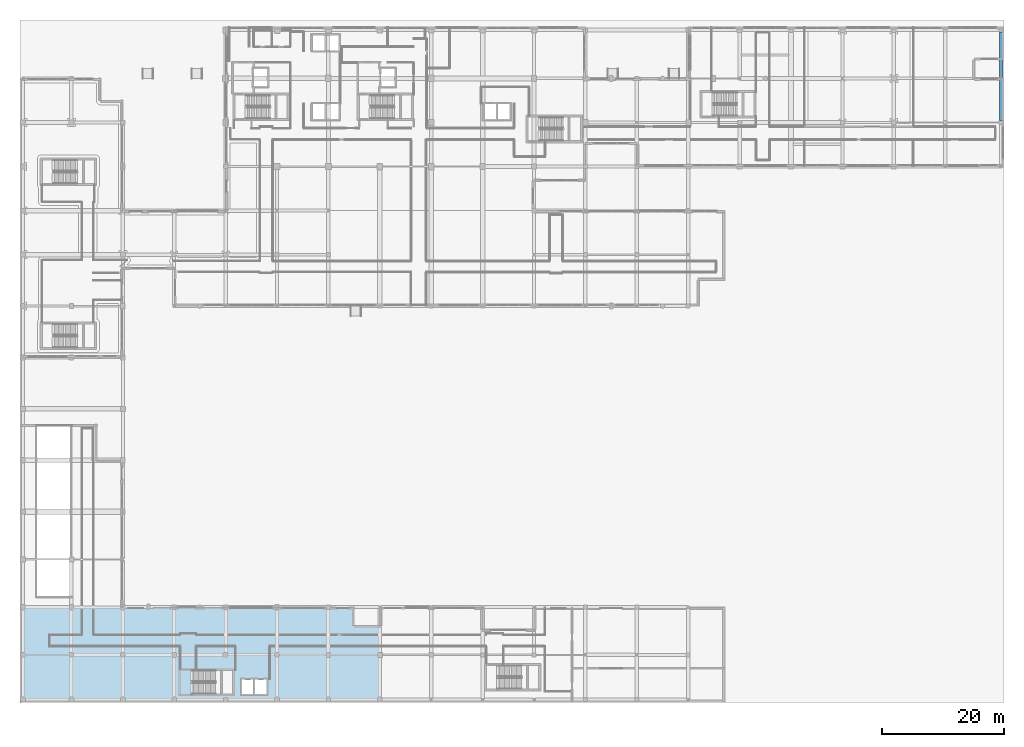
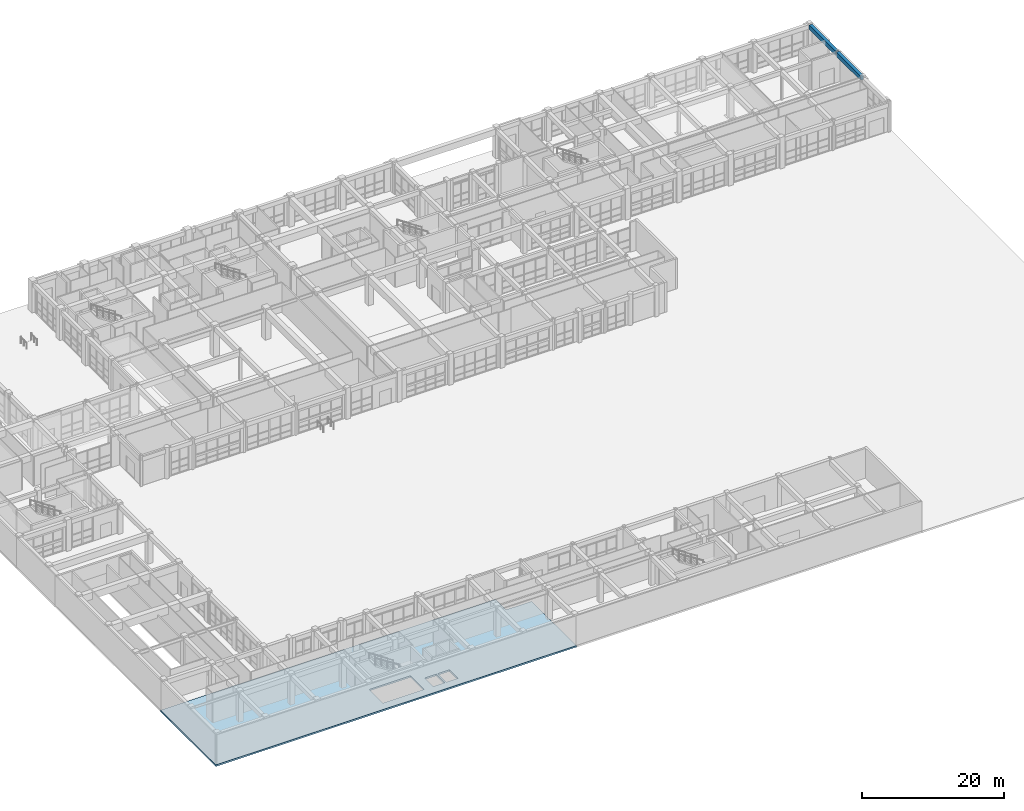
# One storey, part 108 of 148: 2 beams, 1 slab.
"""IFC4 building model written with IfcOpenShell, lengths in metres."""

from ifc_helpers import new_model, si_unit, direction, frame, origin, origin_2d, place, context, subcontext, project, spatial, polyline, rectangle, outline, extrude, material, layer, layer_set, material_profile, profile_set, type_object, element, save


model = new_model("IFC4")

# Units and contexts
model_context = context("Model", 3, precision=1e-05, world=origin(), true_north=direction((0.0, 1.0)))
body_context = subcontext(model_context, "Body", "Model", "MODEL_VIEW")
ifc_project = project(units=[si_unit("LENGTHUNIT", "METRE"), si_unit("AREAUNIT", "SQUARE_METRE"), si_unit("VOLUMEUNIT", "CUBIC_METRE"), si_unit("PLANEANGLEUNIT", "RADIAN"), si_unit("MASSUNIT", "GRAM", prefix="KILO")], contexts=[model_context])

# Site, building, storey
site_placement = place(None, origin())
site = spatial("IfcSite", under=ifc_project, at=site_placement, CompositionType="ELEMENT")
building_placement = place(site_placement, origin())
building = spatial("IfcBuilding", under=site, at=building_placement, Name="Quendrovan Civic Courthouse", CompositionType="ELEMENT")
storey_placement = place(building_placement, origin())
storey = spatial("IfcBuildingStorey", under=building, at=storey_placement, Name="L01", CompositionType="ELEMENT", Elevation=0.0)

# Beams
ifc_material_1 = material(Name="Concrete C40/50", Category="concrete")
ifc_material_profile = material_profile(ifc_material_1, rectangle(XDim=0.5, YDim=0.75, at=origin_2d()), Name="RC-BM-500x750")
ifc_profile_set = profile_set([ifc_material_profile], Name="Concrete C40/50")
beam_type = type_object("IfcBeamType", Name="BM-RC750", PredefinedType="SPANDREL", material=ifc_profile_set)
beam_1_placement = place(storey_placement, frame((160.300048828125, 95.10498046875, 4.7451171875), z_axis=(0.0, 1.0, 0.0), x_axis=(-1.0, 0.0, 0.0)))
element("IfcBeam", 1, at=beam_1_placement, inside=storey, type_object=beam_type, Name="L01 Girder Y0477", PredefinedType="SPANDREL", context=body_context, shape_type="SweptSolid", body=[
    extrude(rectangle(XDim=0.5, YDim=0.75, at=origin_2d()), origin(), (0.0, 0.0, 1.0), 6.76513671875),
])
beam_2_placement = place(storey_placement, frame((160.300048828125, 102.1298828125, 4.7451171875), z_axis=(0.0, 1.0, 0.0), x_axis=(-1.0, 0.0, 0.0)))
element("IfcBeam", 2, at=beam_2_placement, inside=storey, type_object=beam_type, Name="L01 Girder Y0478", PredefinedType="SPANDREL", context=body_context, shape_type="SweptSolid", body=[
    extrude(rectangle(XDim=0.5, YDim=0.75, at=origin_2d()), origin(), (0.0, 0.0, 1.0), 7.465087890625),
])

# Slab
ifc_material_2 = material(Name="Post-tensioned concrete C50/60", Category="concrete")
ifc_layer = layer(ifc_material_2, 0.280029296875, Name="Post-tensioned concrete C50/60")
ifc_layer_set = layer_set([ifc_layer], Name="Post-tensioned concrete C50/60")
slab_type = type_object("IfcSlabType", Name="SLB-PT-280", PredefinedType="FLOOR", material=ifc_layer_set)
slab_placement = place(storey_placement, frame((0.0, 0.0, -0.280029296875)))
element("IfcSlab", 3, at=slab_placement, inside=storey, type_object=slab_type, Name="L01 Structural Floor Slab V5W", PredefinedType="FLOOR", context=body_context, shape_type="SweptSolid", body=[
    extrude(outline(polyline([(0.0, 0.0), (0.0, 15.60009765625), (54.60009765625, 15.60009765625), (54.60009765625, 12.60009765625), (58.800048828125, 12.60009765625), (58.800048828125, 0.0), (0.0, 0.0)]), holes=[polyline([(36.25, 1.39990234375), (38.14990234375, 1.39990234375), (38.14990234375, 3.800048828125), (36.25, 3.800048828125), (36.25, 1.39990234375)]), polyline([(38.39990234375, 3.800048828125), (38.39990234375, 1.39990234375), (40.300048828125, 1.39990234375), (40.300048828125, 3.800048828125), (38.39990234375, 3.800048828125)]), polyline([(28.050048828125, 5.280029296875), (28.050048828125, 1.39990234375), (34.800048828125, 1.39990234375), (34.800048828125, 5.280029296875), (28.050048828125, 5.280029296875)])]), origin(), (0.0, 0.0, 1.0), 0.280029296875),
])

save(model, "model.ifc")
